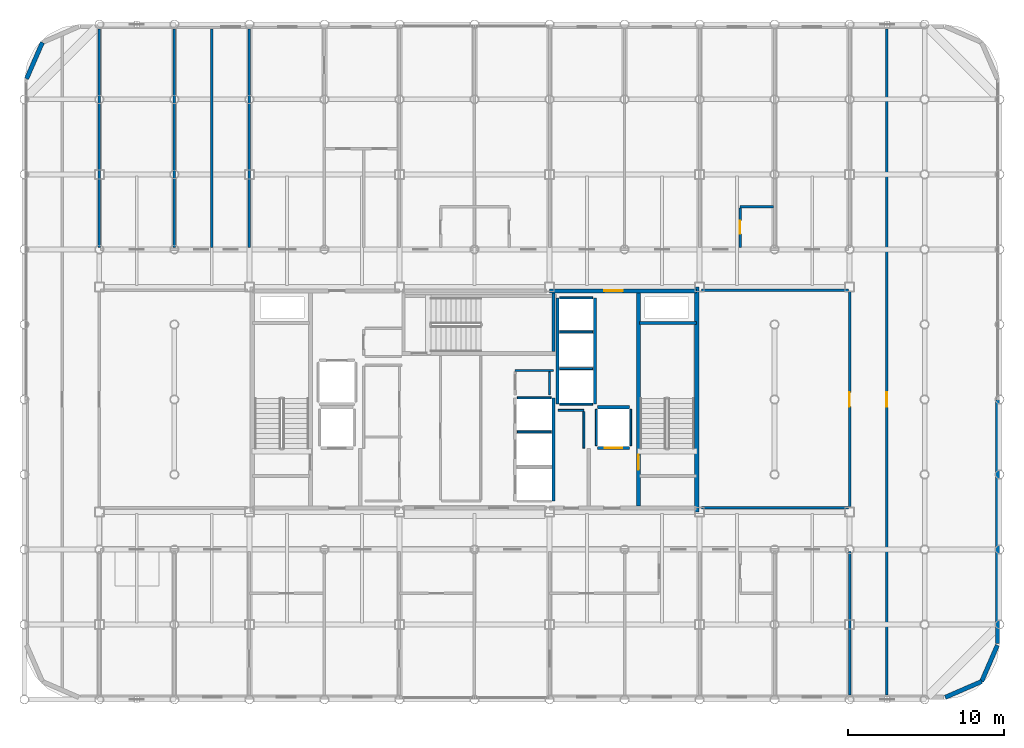
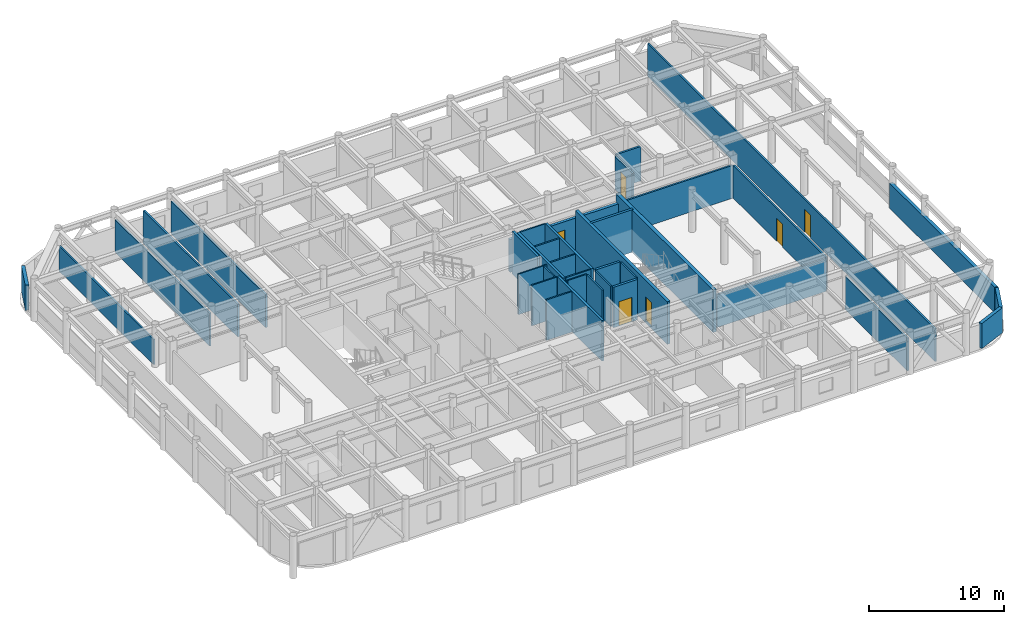
# One storey, part 21 of 24: 37 walls, 6 doors, 6 openings.
"""IFC4 building model written with IfcOpenShell, lengths in metres."""

from ifc_helpers import new_model, si_unit, direction, frame, frame_2d, origin, place, context, subcontext, project, spatial, rectangle, extrude, material, layer, layer_set, type_object, element, fill, save


model = new_model("IFC4")

# Units and contexts
model_context = context("Model", 3, precision=1e-05, world=origin(), true_north=direction((0.0, 1.0)))
body_context = subcontext(model_context, "Body", "Model", "MODEL_VIEW")
ifc_project = project(units=[si_unit("LENGTHUNIT", "METRE"), si_unit("AREAUNIT", "SQUARE_METRE"), si_unit("VOLUMEUNIT", "CUBIC_METRE"), si_unit("PLANEANGLEUNIT", "RADIAN"), si_unit("MASSUNIT", "GRAM", prefix="KILO")], contexts=[model_context])

# Site, building, storey
site_placement = place(None, origin())
site = spatial("IfcSite", under=ifc_project, at=site_placement, CompositionType="ELEMENT")
building_placement = place(site_placement, origin())
building = spatial("IfcBuilding", under=site, at=building_placement, Name="Kallvorn Hotel Tower", CompositionType="ELEMENT")
storey_placement = place(building_placement, frame((0.0, 0.0, 233.85009765625)))
storey = spatial("IfcBuildingStorey", under=building, at=storey_placement, Name="L58", CompositionType="ELEMENT", Elevation=233.85009765625)

# Walls
ifc_material_1 = material(Name="Concrete C50/60", Category="concrete")
ifc_layer_1 = layer(ifc_material_1, 0.300048828125)
ifc_layer_set_1 = layer_set([ifc_layer_1], Name="WL_CORE_300")
wall_type_1 = type_object("IfcWallType", Name="WL_CORE_300", PredefinedType="SHEAR", material=ifc_layer_set_1)
wall_1_placement = place(storey_placement, frame((14.215087890625, -7.199951171875, -0.18017578125), z_axis=(0.0, 0.0, 1.0), x_axis=(0.0, 1.0, 0.0)))
element("IfcWall", 1, at=wall_1_placement, inside=storey, type_object=wall_type_1, Name="L58 Core East Shear Wall", PredefinedType="SHEAR", context=body_context, shape_type="SweptSolid", body=[
    extrude(rectangle(XDim=14.39990234375, YDim=0.300048828125, at=frame_2d((7.199951171875, 0.0))), origin(), (0.0, 0.0, 1.0), 3.85009765625),
])
ifc_material_2 = material(Name="Fire-rated double-layer acoustic gypsum drywall EI 60")
ifc_layer_2 = layer(ifc_material_2, 0.159912109375)
ifc_layer_set_2 = layer_set([ifc_layer_2], Name="WL_DEMISE_160")
wall_type_2 = type_object("IfcWallType", Name="WL_DEMISE_160", PredefinedType="PARTITIONING", material=ifc_layer_set_2)
wall_2_placement = place(storey_placement, frame((16.989990234375, 12.320068359375, 0.0), z_axis=(0.0, 0.0, 1.0), x_axis=(1.0, 0.0, 0.0)))
element("IfcWall", 2, at=wall_2_placement, inside=storey, type_object=wall_type_2, Name="L58 Suite 5809 Standard Twin Room Partition", PredefinedType="PARTITIONING", context=body_context, shape_type="SweptSolid", body=[
    extrude(rectangle(XDim=2.130126953125, YDim=0.159912109375, at=frame_2d((1.06494140625, 0.0))), origin(), (0.0, 0.0, 1.0), 3.119873046875),
])
wall_3_placement = place(storey_placement, frame((-14.39990234375, 9.719970703125, 0.0), z_axis=(0.0, 0.0, 1.0), x_axis=(0.0, 1.0, 0.0)))
element("IfcWall", 3, at=wall_3_placement, inside=storey, type_object=wall_type_2, Name="L58 Suite 5806 Junior Living Salon Partition", PredefinedType="PARTITIONING", context=body_context, shape_type="SweptSolid", body=[
    extrude(rectangle(XDim=13.989990234375, YDim=0.159912109375, at=frame_2d((6.9951171875, 0.0))), origin(), (0.0, 0.0, 1.0), 2.969970703125),
])

# Wall, opening, door
wall_4_placement = place(storey_placement, frame((16.989990234375, 9.719970703125, 0.0), z_axis=(0.0, 0.0, 1.0), x_axis=(0.0, 1.0, 0.0)))
wall_4 = element("IfcWall", 4, at=wall_4_placement, inside=storey, type_object=wall_type_2, Name="L58 Suite 5809 Standard Twin Room Partition", PredefinedType="PARTITIONING", context=body_context, shape_type="SweptSolid", body=[
    extrude(rectangle(XDim=2.51513671875, YDim=0.159912109375, at=frame_2d((1.257568359375, 0.0))), origin(), (0.0, 0.0, 1.0), 2.969970703125),
])
opening_1_placement = place(wall_4_placement, frame((0.8701171875, 0.0, 0.0)))
opening_1 = element("IfcOpeningElement", 5, at=opening_1_placement, cuts=wall_4, Name="Opening BD-I", PredefinedType="OPENING", context=body_context, shape_type="SweptSolid", body=[
    extrude(rectangle(XDim=0.860107421875, YDim=2.10009765625, at=frame_2d((0.43017578125, 1.050048828125))), frame((0.0, 0.094970703125, 0.0), z_axis=(0.0, -1.0, 0.0), x_axis=(1.0, 0.0, 0.0)), (0.0, 0.0, 1.0), 0.18994140625),
])
ifc_material_3 = material(Name="Solid-core walnut veneer fire-rated timber door leaf", Category="wood")
door_type_1 = type_object("IfcDoorType", Name="DR_BATH_860x2100", OperationType="NOTDEFINED", PredefinedType="DOOR", material=ifc_material_3)
door_1_placement = place(opening_1_placement, origin())
door_1 = element("IfcDoor", 6, at=door_1_placement, inside=storey, type_object=door_type_1, Name="L58 Suite 5809 En-Suite Bathroom Door", OperationType="SINGLE_SWING_RIGHT", OverallHeight=2.10009765625, OverallWidth=0.860107421875, PredefinedType="DOOR", context=body_context, shape_type="SweptSolid", body=[
    extrude(rectangle(XDim=0.860107421875, YDim=2.10009765625, at=frame_2d((0.43017578125, 1.050048828125))), frame((0.0, 0.02490234375, 0.0), z_axis=(0.0, -1.0, 0.0), x_axis=(1.0, 0.0, 0.0)), (0.0, 0.0, 1.0), 0.050048828125),
])
fill(opening_1, door_1)

# Walls
ifc_material_4 = material(Name="Precast basalt-clad insulated concrete wall C40/50", Category="masonry")
ifc_layer_3 = layer(ifc_material_4, 0.280029296875)
ifc_layer_set_3 = layer_set([ifc_layer_3], Name="WL_EXT_LOGGIA_280")
wall_type_3 = type_object("IfcWallType", Name="WL_EXT_LOGGIA_280", PredefinedType="SOLIDWALL", material=ifc_layer_set_3)
wall_5_placement = place(storey_placement, frame((30.120849609375, -19.057861328125, 0.0), z_axis=(0.0, 0.0, 1.0), x_axis=(0.917060872934, 0.398747232384, 0.0)))
element("IfcWall", 7, at=wall_5_placement, inside=storey, type_object=wall_type_3, Name="L58 Rounded Corner Exterior Wall SE1", PredefinedType="SOLIDWALL", context=body_context, shape_type="SweptSolid", body=[
    extrude(rectangle(XDim=2.5361328125, YDim=0.280029296875, at=frame_2d((1.26806640625, 0.0))), origin(), (0.0, 0.0, 1.0), 2.27001953125),
])
for number, where, z_axis, x_axis, name in (
    (8, (32.446533203125, -18.046630859375, 0.0), (0.0, 0.0, 1.0), (0.398792985289, 0.917040977756, 0.0), "L58 Rounded Corner Exterior Wall SE2"),
    (9, (-27.646484375, 22.8466796875, 0.0), (0.0, 0.0, 1.0), (-0.398792985289, -0.917040977756, 0.0), "L58 Rounded Corner Exterior Wall NW2"),
):
    element("IfcWall", number, at=place(storey_placement, frame(where, z_axis=z_axis, x_axis=x_axis)), inside=storey, type_object=wall_type_3, Name=name, PredefinedType="SOLIDWALL", context=body_context, shape_type="SweptSolid", body=[
        extrude(rectangle(XDim=2.536376953125, YDim=0.280029296875, at=frame_2d((1.26806640625, 0.0))), origin(), (0.0, 0.0, 1.0), 2.27001953125),
    ])
wall_6_placement = place(storey_placement, frame((33.4599609375, -15.60009765625, 0.0), z_axis=(0.0, 0.0, 1.0), x_axis=(0.0, 1.0, 0.0)))
element("IfcWall", 10, at=wall_6_placement, inside=storey, type_object=wall_type_3, Name="L58 Exterior Envelope Wall EW-L58-ES", PredefinedType="SOLIDWALL", context=body_context, shape_type="SweptSolid", body=[
    extrude(rectangle(XDim=15.580078125, YDim=0.280029296875, at=frame_2d((7.7900390625, 0.0))), origin(), (0.0, 0.0, 1.0), 2.27001953125),
])
ifc_material_5 = material(Name="Concrete C40/50", Category="concrete")
ifc_layer_4 = layer(ifc_material_5, 0.199951171875)
ifc_layer_set_4 = layer_set([ifc_layer_4], Name="WL_HOIST_200")
wall_type_4 = type_object("IfcWallType", Name="WL_HOIST_200", PredefinedType="SOLIDWALL", material=ifc_layer_set_4)
wall_7_placement = place(storey_placement, frame((10.550048828125, 4.89990234375, -0.18017578125), z_axis=(0.0, 0.0, 1.0), x_axis=(1.0, 0.0, 0.0)))
element("IfcWall", 11, at=wall_7_placement, inside=storey, type_object=wall_type_4, Name="L58 Stair ST2 North Wall", PredefinedType="SOLIDWALL", context=body_context, shape_type="SweptSolid", body=[
    extrude(rectangle(XDim=3.64990234375, YDim=0.199951171875, at=frame_2d((1.824951171875, 0.0))), origin(), (0.0, 0.0, 1.0), 3.85009765625),
])
wall_8_placement = place(storey_placement, frame((5.06005859375, 3.080078125, -0.18017578125), z_axis=(0.0, 0.0, 1.0), x_axis=(0.0, 1.0, 0.0)))
element("IfcWall", 12, at=wall_8_placement, inside=storey, type_object=wall_type_4, Name="L58 Stair ST3 East Wall", PredefinedType="SOLIDWALL", context=body_context, shape_type="SweptSolid", body=[
    extrude(rectangle(XDim=3.739990234375, YDim=0.199951171875, at=frame_2d((1.8701171875, 0.0))), origin(), (0.0, 0.0, 1.0), 3.85009765625),
])
wall_9_placement = place(storey_placement, frame((5.050048828125, -6.5, 0.0), z_axis=(0.0, 0.0, 1.0), x_axis=(0.0, 1.0, 0.0)))
element("IfcWall", 13, at=wall_9_placement, inside=storey, type_object=wall_type_4, Name="L58 Lift Bank B3A Rear Shaft Wall", PredefinedType="SOLIDWALL", context=body_context, shape_type="SweptSolid", body=[
    extrude(rectangle(XDim=6.60009765625, YDim=0.199951171875, at=frame_2d((3.300048828125, 0.0))), origin(), (0.0, 0.0, 1.0), 3.669921875),
])
for number, where, z_axis, x_axis, name in (
    (14, (7.699951171875, -0.300048828125, 0.0), (0.0, 0.0, 1.0), (0.0, 1.0, 0.0), "L58 Lift Bank OBS Landing Wall"),
    (15, (5.300048828125, -0.300048828125, 0.0), (0.0, 0.0, 1.0), (0.0, 1.0, 0.0), "L58 Lift Bank OBS Rear Shaft Wall"),
):
    element("IfcWall", number, at=place(storey_placement, frame(where, z_axis=z_axis, x_axis=x_axis)), inside=storey, type_object=wall_type_4, Name=name, PredefinedType="SOLIDWALL", context=body_context, shape_type="SweptSolid", body=[
        extrude(rectangle(XDim=6.800048828125, YDim=0.199951171875, at=frame_2d((3.39990234375, 0.0))), origin(), (0.0, 0.0, 1.0), 3.669921875),
    ])

# Wall, opening, door
wall_10_placement = place(storey_placement, frame((7.8798828125, -3.10009765625, 0.0), z_axis=(0.0, 0.0, 1.0), x_axis=(1.0, 0.0, 0.0)))
wall_10 = element("IfcWall", 16, at=wall_10_placement, inside=storey, type_object=wall_type_4, Name="L58 FL-2 Landing Wall", PredefinedType="SOLIDWALL", context=body_context, shape_type="SweptSolid", body=[
    extrude(rectangle(XDim=2.0400390625, YDim=0.199951171875, at=frame_2d((1.02001953125, 0.0))), origin(), (0.0, 0.0, 1.0), 3.669921875),
])
opening_2_placement = place(wall_10_placement, frame((0.469970703125, 0.0, 0.0)))
opening_2 = element("IfcOpeningElement", 17, at=opening_2_placement, cuts=wall_10, Name="Opening LD-FL-2", PredefinedType="OPENING", context=body_context, shape_type="SweptSolid", body=[
    extrude(rectangle(XDim=1.10009765625, YDim=2.199951171875, at=frame_2d((0.550048828125, 1.10009765625))), frame((0.0, 0.114990234375, 0.0), z_axis=(0.0, -1.0, 0.0), x_axis=(1.0, 0.0, 0.0)), (0.0, 0.0, 1.0), 0.22998046875),
])
ifc_material_6 = material(Name="Brushed stainless-steel automatic sliding lift landing door", Category="steel")
door_type_2 = type_object("IfcDoorType", Name="LD_PASS_1100x2200", OperationType="SLIDING_TO_LEFT", PredefinedType="DOOR", material=ifc_material_6)
door_2_placement = place(opening_2_placement, origin())
door_2 = element("IfcDoor", 18, at=door_2_placement, inside=storey, type_object=door_type_2, Name="L58 Lift Landing Sliding Door LD-FL-2", OperationType="SLIDING_TO_LEFT", OverallHeight=2.199951171875, OverallWidth=1.10009765625, PredefinedType="DOOR", context=body_context, shape_type="SweptSolid", body=[
    extrude(rectangle(XDim=1.10009765625, YDim=2.199951171875, at=frame_2d((0.550048828125, 1.10009765625))), frame((0.0, 0.02490234375, 0.0), z_axis=(0.0, -1.0, 0.0), x_axis=(1.0, 0.0, 0.0)), (0.0, 0.0, 1.0), 0.050048828125),
])
fill(opening_2, door_2)

# Walls
wall_11_placement = place(storey_placement, frame((7.8798828125, -0.5, 0.0), z_axis=(0.0, 0.0, 1.0), x_axis=(1.0, 0.0, 0.0)))
element("IfcWall", 19, at=wall_11_placement, inside=storey, type_object=wall_type_4, Name="L58 FL-2 Rear Shaft Wall", PredefinedType="SOLIDWALL", context=body_context, shape_type="SweptSolid", body=[
    extrude(rectangle(XDim=2.0400390625, YDim=0.199951171875, at=frame_2d((1.02001953125, 0.0))), origin(), (0.0, 0.0, 1.0), 3.669921875),
])
ifc_material_7 = material(Name="Fire-rated double-layer acoustic gypsum drywall EI 60")
ifc_layer_5 = layer(ifc_material_7, 0.1201171875)
ifc_layer_set_5 = layer_set([ifc_layer_5], Name="WL_INT_120")
wall_type_5 = type_object("IfcWallType", Name="WL_INT_120", PredefinedType="PARTITIONING", material=ifc_layer_set_5)
for number, where, z_axis, x_axis, name in (
    (20, (2.739990234375, -2.074951171875, 0.0), (0.0, 0.0, 1.0), (1.0, 0.0, 0.0), "L58 PL-10 Hoistway Divider"),
    (21, (2.739990234375, 0.10009765625, 0.0), (0.0, 0.0, 1.0), (1.0, 0.0, 0.0), "L58 PL-11 Hoistway Divider"),
):
    element("IfcWall", number, at=place(storey_placement, frame(where, z_axis=z_axis, x_axis=x_axis)), inside=storey, type_object=wall_type_5, Name=name, PredefinedType="PARTITIONING", context=body_context, shape_type="SweptSolid", body=[
        extrude(rectangle(XDim=2.169921875, YDim=0.1201171875, at=frame_2d((1.0849609375, 0.0))), origin(), (0.0, 0.0, 1.0), 3.669921875),
    ])
for number, where, z_axis, x_axis, name in (
    (22, (5.43994140625, -0.300048828125, 0.0), (0.0, 0.0, 1.0), (1.0, 0.0, 0.0), "L58 Lift Bank OBS South Closure Wall"),
    (23, (5.43994140625, 1.97509765625, 0.0), (0.0, 0.0, 1.0), (1.0, 0.0, 0.0), "L58 OB-01 Hoistway Divider"),
    (24, (5.43994140625, 4.324951171875, 0.0), (0.0, 0.0, 1.0), (1.0, 0.0, 0.0), "L58 OB-02 Hoistway Divider"),
    (25, (5.43994140625, 6.5, 0.0), (0.0, 0.0, 1.0), (1.0, 0.0, 0.0), "L58 OB-03 Hoistway Divider"),
):
    element("IfcWall", number, at=place(storey_placement, frame(where, z_axis=z_axis, x_axis=x_axis)), inside=storey, type_object=wall_type_5, Name=name, PredefinedType="PARTITIONING", context=body_context, shape_type="SweptSolid", body=[
        extrude(rectangle(XDim=2.1201171875, YDim=0.1201171875, at=frame_2d((1.06005859375, 0.0))), origin(), (0.0, 0.0, 1.0), 3.669921875),
    ])
for number, where, z_axis, x_axis, name in (
    (26, (7.800048828125, -2.9599609375, 0.0), (0.0, 0.0, 1.0), (0.0, 1.0, 0.0), "L58 FL-2 West Shaft Wall"),
    (27, (10.0, -2.9599609375, 0.0), (0.0, 0.0, 1.0), (0.0, 1.0, 0.0), "L58 FL-2 East Shaft Wall"),
):
    element("IfcWall", number, at=place(storey_placement, frame(where, z_axis=z_axis, x_axis=x_axis)), inside=storey, type_object=wall_type_5, Name=name, PredefinedType="PARTITIONING", context=body_context, shape_type="SweptSolid", body=[
        extrude(rectangle(XDim=2.320068359375, YDim=0.1201171875, at=frame_2d((1.16015625, 0.0))), origin(), (0.0, 0.0, 1.0), 3.669921875),
    ])
wall_12_placement = place(storey_placement, frame((5.35009765625, -0.699951171875, 0.0), z_axis=(0.0, 0.0, 1.0), x_axis=(1.0, 0.0, 0.0)))
element("IfcWall", 28, at=wall_12_placement, inside=storey, type_object=wall_type_5, Name="L58 Core Utility and Meter Room Partition", PredefinedType="PARTITIONING", context=body_context, shape_type="SweptSolid", body=[
    extrude(rectangle(XDim=1.64990234375, YDim=0.1201171875, at=frame_2d((0.824951171875, 0.0))), origin(), (0.0, 0.0, 1.0), 3.669921875),
])
wall_13_placement = place(storey_placement, frame((2.60009765625, 1.85009765625, 0.0), z_axis=(0.0, 0.0, 1.0), x_axis=(1.0, 0.0, 0.0)))
element("IfcWall", 29, at=wall_13_placement, inside=storey, type_object=wall_type_5, Name="L58 East Core Ice Pantry Partition", PredefinedType="PARTITIONING", context=body_context, shape_type="SweptSolid", body=[
    extrude(rectangle(XDim=2.449951171875, YDim=0.1201171875, at=frame_2d((1.22509765625, 0.0))), origin(), (0.0, 0.0, 1.0), 3.669921875),
])
wall_14_placement = place(storey_placement, frame((4.800048828125, 0.300048828125, 0.0), z_axis=(0.0, 0.0, 1.0), x_axis=(0.0, 1.0, 0.0)))
element("IfcWall", 30, at=wall_14_placement, inside=storey, type_object=wall_type_5, Name="L58 East Core Ice Pantry Partition", PredefinedType="PARTITIONING", context=body_context, shape_type="SweptSolid", body=[
    extrude(rectangle(XDim=1.46484375, YDim=0.1201171875, at=frame_2d((0.732421875, 0.0))), origin(), (0.0, 0.0, 1.0), 3.669921875),
])
wall_15_placement = place(storey_placement, frame((7.0, -3.110107421875, 0.0), z_axis=(0.0, 0.0, 1.0), x_axis=(0.0, 1.0, 0.0)))
element("IfcWall", 31, at=wall_15_placement, inside=storey, type_object=wall_type_5, Name="L58 Core Utility and Meter Room Partition", PredefinedType="PARTITIONING", context=body_context, shape_type="SweptSolid", body=[
    extrude(rectangle(XDim=2.3251953125, YDim=0.1201171875, at=frame_2d((1.16259765625, 0.0))), origin(), (0.0, 0.0, 1.0), 3.669921875),
])
ifc_material_8 = material(Name="Fire-rated double-layer acoustic gypsum drywall EI 60")
ifc_layer_6 = layer(ifc_material_8, 0.14990234375)
ifc_layer_set_6 = layer_set([ifc_layer_6], Name="WL_PART_150")
wall_type_6 = type_object("IfcWallType", Name="WL_PART_150", PredefinedType="PARTITIONING", material=ifc_layer_set_6)
for number, where, z_axis, x_axis, name in (
    (32, (14.52001953125, -6.919921875, 0.0), (0.0, 0.0, 1.0), (1.0, 0.0, 0.0), "L58 L58 High-Zone Inner East Club Gallery Partition"),
    (33, (14.52001953125, 6.97998046875, 0.0), (0.0, 0.0, 1.0), (1.0, 0.0, 0.0), "L58 L58 High-Zone Inner East Club Gallery Partition"),
):
    element("IfcWall", number, at=place(storey_placement, frame(where, z_axis=z_axis, x_axis=x_axis)), inside=storey, type_object=wall_type_6, Name=name, PredefinedType="PARTITIONING", context=body_context, shape_type="SweptSolid", body=[
        extrude(rectangle(XDim=9.39990234375, YDim=0.14990234375, at=frame_2d((4.699951171875, 0.0))), origin(), (0.0, 0.0, 1.0), 2.969970703125),
    ])
wall_16_placement = place(storey_placement, frame((-24.0, 9.719970703125, 0.0), z_axis=(0.0, 0.0, 1.0), x_axis=(0.0, 1.0, 0.0)))
element("IfcWall", 34, at=wall_16_placement, inside=storey, type_object=wall_type_6, Name="L58 L58 High-Zone North-West Reading Salon Partition", PredefinedType="PARTITIONING", context=body_context, shape_type="SweptSolid", body=[
    extrude(rectangle(XDim=13.989990234375, YDim=0.14990234375, at=frame_2d((6.9951171875, 0.0))), origin(), (0.0, 0.0, 1.0), 2.27001953125),
])
for number, where, z_axis, x_axis, name in (
    (35, (-19.199951171875, 9.719970703125, 0.0), (0.0, 0.0, 1.0), (0.0, 1.0, 0.0), "L58 Housekeeping and Linen Room Partition"),
    (36, (-16.800048828125, 9.719970703125, 0.0), (0.0, 0.0, 1.0), (0.0, 1.0, 0.0), "L58 Guest Tea and Refreshment Bar Partition"),
):
    element("IfcWall", number, at=place(storey_placement, frame(where, z_axis=z_axis, x_axis=x_axis)), inside=storey, type_object=wall_type_6, Name=name, PredefinedType="PARTITIONING", context=body_context, shape_type="SweptSolid", body=[
        extrude(rectangle(XDim=13.989990234375, YDim=0.14990234375, at=frame_2d((6.9951171875, 0.0))), origin(), (0.0, 0.0, 1.0), 2.969970703125),
    ])
wall_17_placement = place(storey_placement, frame((24.0, -18.909912109375, 0.0), z_axis=(0.0, 0.0, 1.0), x_axis=(0.0, 1.0, 0.0)))
element("IfcWall", 37, at=wall_17_placement, inside=storey, type_object=wall_type_6, Name="L58 L58 High-Zone South-East Wine Bar Partition", PredefinedType="PARTITIONING", context=body_context, shape_type="SweptSolid", body=[
    extrude(rectangle(XDim=9.18994140625, YDim=0.14990234375, at=frame_2d((4.594970703125, 0.0))), origin(), (0.0, 0.0, 1.0), 2.969970703125),
])

# Wall, opening, door
wall_18_placement = place(storey_placement, frame((24.0, -6.8349609375, 0.0), z_axis=(0.0, 0.0, 1.0), x_axis=(0.0, 1.0, 0.0)))
wall_18 = element("IfcWall", 38, at=wall_18_placement, inside=storey, type_object=wall_type_6, Name="L58 L58 High-Zone Inner East Club Gallery Partition", PredefinedType="PARTITIONING", context=body_context, shape_type="SweptSolid", body=[
    extrude(rectangle(XDim=13.72998046875, YDim=0.14990234375, at=frame_2d((6.864990234375, 0.0))), origin(), (0.0, 0.0, 1.0), 2.969970703125),
])
opening_3_placement = place(wall_18_placement, frame((6.385009765625, 0.0, 0.0)))
opening_3 = element("IfcOpeningElement", 39, at=opening_3_placement, cuts=wall_18, Name="Opening SVD1", PredefinedType="OPENING", context=body_context, shape_type="SweptSolid", body=[
    extrude(rectangle(XDim=0.89990234375, YDim=2.10009765625, at=frame_2d((0.449951171875, 1.050048828125))), frame((0.0, 0.08984375, 0.0), z_axis=(0.0, -1.0, 0.0), x_axis=(1.0, 0.0, 0.0)), (0.0, 0.0, 1.0), 0.179931640625),
])
ifc_material_9 = material(Name="Galvanised painted steel fire-rated door assembly", Category="steel")
door_type_3 = type_object("IfcDoorType", Name="DR_SERV_900x2100", OperationType="NOTDEFINED", PredefinedType="DOOR", material=ifc_material_9)
door_3_placement = place(opening_3_placement, origin())
door_3 = element("IfcDoor", 40, at=door_3_placement, inside=storey, type_object=door_type_3, Name="L58 L58 High-Zone Inner East Club Gallery Door", OperationType="SINGLE_SWING_LEFT", OverallHeight=2.10009765625, OverallWidth=0.89990234375, PredefinedType="DOOR", context=body_context, shape_type="SweptSolid", body=[
    extrude(rectangle(XDim=0.89990234375, YDim=2.10009765625, at=frame_2d((0.449951171875, 1.050048828125))), frame((0.0, 0.02490234375, 0.0), z_axis=(0.0, -1.0, 0.0), x_axis=(1.0, 0.0, 0.0)), (0.0, 0.0, 1.0), 0.050048828125),
])
fill(opening_3, door_3)

wall_19_placement = place(storey_placement, frame((26.3798828125, -18.909912109375, 0.0), z_axis=(0.0, 0.0, 1.0), x_axis=(0.0, 1.0, 0.0)))
wall_19 = element("IfcWall", 41, at=wall_19_placement, inside=storey, type_object=wall_type_6, Name="L58 L58 Outer East Sky Observatory Salon Partition", PredefinedType="PARTITIONING", context=body_context, shape_type="SweptSolid", body=[
    extrude(rectangle(XDim=42.619873046875, YDim=0.14990234375, at=frame_2d((21.31005859375, 0.0))), origin(), (0.0, 0.0, 1.0), 2.969970703125),
])
opening_4_placement = place(wall_19_placement, frame((18.4599609375, 0.0, 0.0)))
opening_4 = element("IfcOpeningElement", 42, at=opening_4_placement, cuts=wall_19, Name="Opening SVD1", PredefinedType="OPENING", context=body_context, shape_type="SweptSolid", body=[
    extrude(rectangle(XDim=0.89990234375, YDim=2.10009765625, at=frame_2d((0.449951171875, 1.050048828125))), frame((0.0, 0.08984375, 0.0), z_axis=(0.0, -1.0, 0.0), x_axis=(1.0, 0.0, 0.0)), (0.0, 0.0, 1.0), 0.179931640625),
])
door_4_placement = place(opening_4_placement, origin())
door_4 = element("IfcDoor", 43, at=door_4_placement, inside=storey, type_object=door_type_3, Name="L58 L58 Outer East Sky Observatory Salon Door", OperationType="SINGLE_SWING_LEFT", OverallHeight=2.10009765625, OverallWidth=0.89990234375, PredefinedType="DOOR", context=body_context, shape_type="SweptSolid", body=[
    extrude(rectangle(XDim=0.89990234375, YDim=2.10009765625, at=frame_2d((0.449951171875, 1.050048828125))), frame((0.0, 0.02490234375, 0.0), z_axis=(0.0, -1.0, 0.0), x_axis=(1.0, 0.0, 0.0)), (0.0, 0.0, 1.0), 0.050048828125),
])
fill(opening_4, door_4)

ifc_material_10 = material(Name="Concrete C40/50", Category="concrete")
ifc_layer_7 = layer(ifc_material_10, 0.25)
ifc_layer_set_7 = layer_set([ifc_layer_7], Name="WL_SHAFT_250")
wall_type_7 = type_object("IfcWallType", Name="WL_SHAFT_250", PredefinedType="SOLIDWALL", material=ifc_layer_set_7)
wall_20_placement = place(storey_placement, frame((4.800048828125, 6.949951171875, 0.0), z_axis=(0.0, 0.0, 1.0), x_axis=(1.0, 0.0, 0.0)))
wall_20 = element("IfcWall", 44, at=wall_20_placement, inside=storey, type_object=wall_type_7, Name="L58 Core North-East Wall", PredefinedType="SOLIDWALL", context=body_context, shape_type="SweptSolid", body=[
    extrude(rectangle(XDim=9.39990234375, YDim=0.25, at=frame_2d((4.699951171875, 0.0))), origin(), (0.0, 0.0, 1.0), 2.969970703125),
])
opening_5_placement = place(wall_20_placement, frame((3.5, 0.0, 0.0)))
opening_5 = element("IfcOpeningElement", 45, at=opening_5_placement, cuts=wall_20, Name="Opening FD2", PredefinedType="OPENING", context=body_context, shape_type="SweptSolid", body=[
    extrude(rectangle(XDim=1.199951171875, YDim=2.199951171875, at=frame_2d((0.60009765625, 1.10009765625))), frame((0.0, 0.139892578125, 0.0), z_axis=(0.0, -1.0, 0.0), x_axis=(1.0, 0.0, 0.0)), (0.0, 0.0, 1.0), 0.280029296875),
])
ifc_material_11 = material(Name="Galvanised painted steel fire-rated door assembly", Category="steel")
door_type_4 = type_object("IfcDoorType", Name="DR_LOBBY_1200x2200", OperationType="DOUBLE_DOOR_SINGLE_SWING", PredefinedType="DOOR", material=ifc_material_11)
door_5_placement = place(opening_5_placement, origin())
door_5 = element("IfcDoor", 46, at=door_5_placement, inside=storey, type_object=door_type_4, Name="L58 Observatory Shuttle Lobby Door", OperationType="DOUBLE_DOOR_SINGLE_SWING", OverallHeight=2.199951171875, OverallWidth=1.199951171875, PredefinedType="DOOR", context=body_context, shape_type="SweptSolid", body=[
    extrude(rectangle(XDim=1.199951171875, YDim=2.199951171875, at=frame_2d((0.60009765625, 1.10009765625))), frame((0.0, 0.02490234375, 0.0), z_axis=(0.0, -1.0, 0.0), x_axis=(1.0, 0.0, 0.0)), (0.0, 0.0, 1.0), 0.050048828125),
])
fill(opening_5, door_5)

wall_21_placement = place(storey_placement, frame((10.5, -6.820068359375, -0.18017578125), z_axis=(0.0, 0.0, 1.0), x_axis=(0.0, 1.0, 0.0)))
wall_21 = element("IfcWall", 47, at=wall_21_placement, inside=storey, type_object=wall_type_7, Name="L58 Stair ST2 Shaft Wall", PredefinedType="SOLIDWALL", context=body_context, shape_type="SweptSolid", body=[
    extrude(rectangle(XDim=13.64013671875, YDim=0.25, at=frame_2d((6.820068359375, 0.0))), origin(), (0.0, 0.0, 1.0), 3.85009765625),
])
opening_6_placement = place(wall_21_placement, frame((2.320068359375, 0.0, 0.179931640625)))
opening_6 = element("IfcOpeningElement", 48, at=opening_6_placement, cuts=wall_21, Name="Opening SD1", PredefinedType="OPENING", context=body_context, shape_type="SweptSolid", body=[
    extrude(rectangle(XDim=0.949951171875, YDim=2.14990234375, at=frame_2d((0.47509765625, 1.074951171875))), frame((0.0, 0.139892578125, 0.0), z_axis=(0.0, -1.0, 0.0), x_axis=(1.0, 0.0, 0.0)), (0.0, 0.0, 1.0), 0.280029296875),
])
ifc_material_12 = material(Name="Galvanised painted steel fire-rated door assembly", Category="steel")
door_type_5 = type_object("IfcDoorType", Name="DR_STAIR_950x2150", OperationType="NOTDEFINED", PredefinedType="DOOR", material=ifc_material_12)
door_6_placement = place(opening_6_placement, origin())
door_6 = element("IfcDoor", 49, at=door_6_placement, inside=storey, type_object=door_type_5, Name="L58 Exit Stair ST2 Fire Door", OperationType="SINGLE_SWING_RIGHT", OverallHeight=2.14990234375, OverallWidth=0.949951171875, PredefinedType="DOOR", context=body_context, shape_type="SweptSolid", body=[
    extrude(rectangle(XDim=0.949951171875, YDim=2.14990234375, at=frame_2d((0.47509765625, 1.074951171875))), frame((0.0, 0.02490234375, 0.0), z_axis=(0.0, -1.0, 0.0), x_axis=(1.0, 0.0, 0.0)), (0.0, 0.0, 1.0), 0.050048828125),
])
fill(opening_6, door_6)

save(model, "model.ifc")
